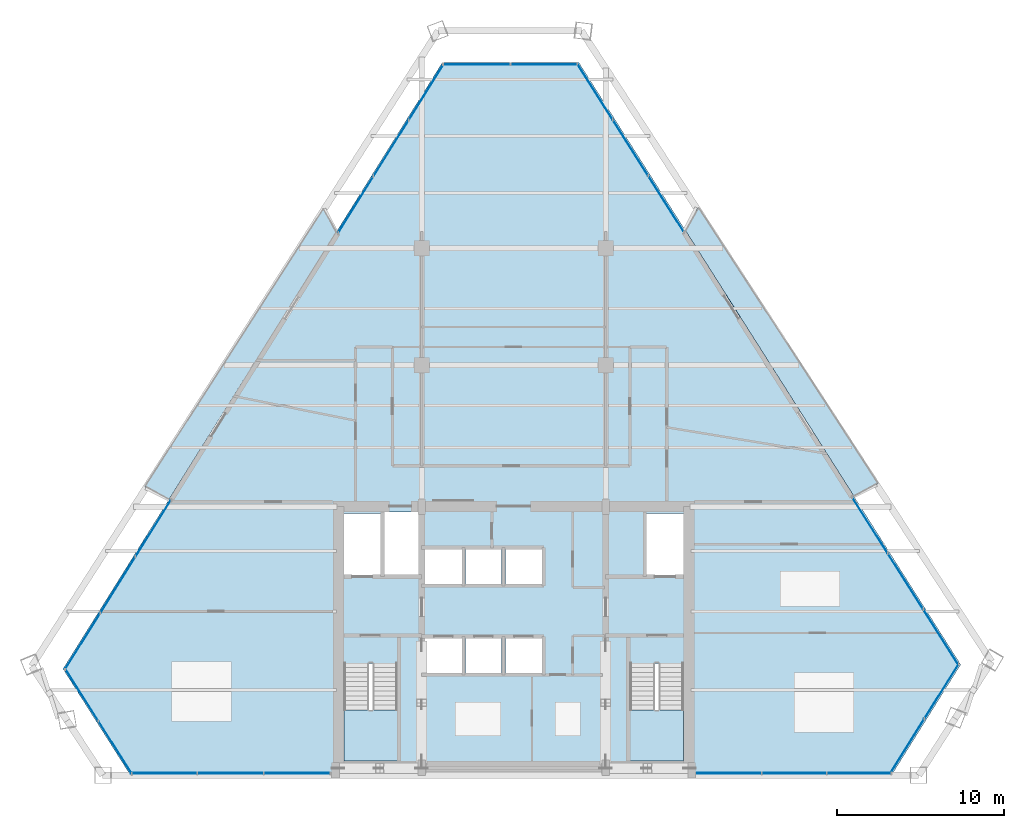
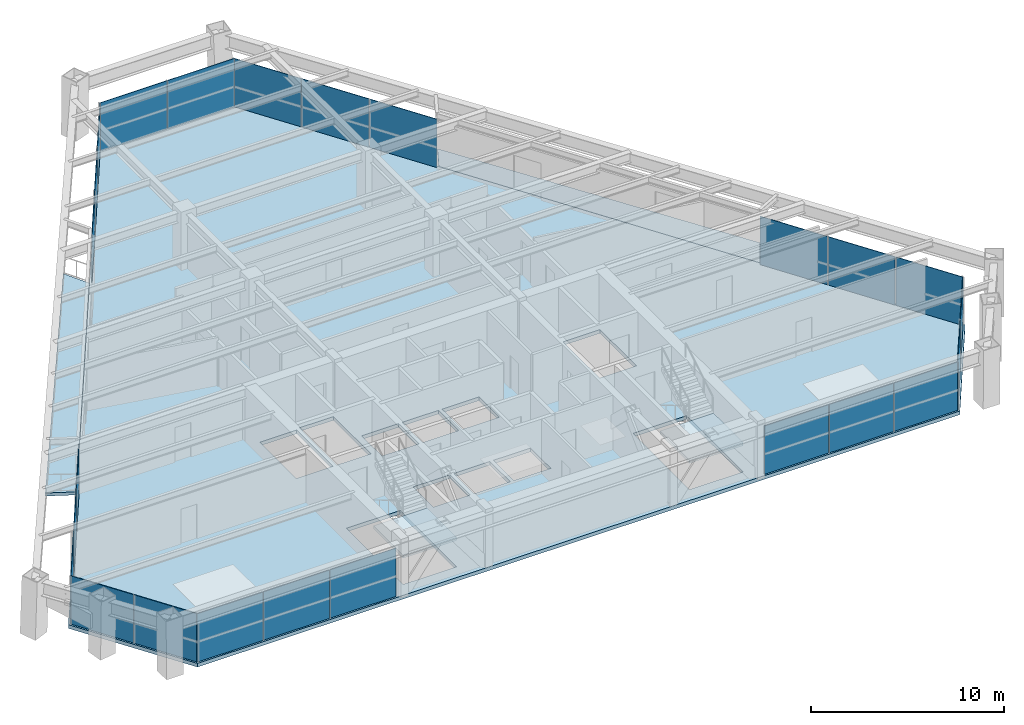
# One storey, part 10 of 15: 24 plates, 5 slabs, 11 elements without a shape of their own.
"""IFC4 building model written with IfcOpenShell, lengths in metres."""

import ifcopenshell
import ifcopenshell.guid

model = None  # the IFC model being written
_history = None  # IfcOwnerHistory: only IFC2X3 demands one
_inside = {}  # id of a spatial element -> (the spatial element, [elements in it])
_under = {}  # id of a project, library or spatial element -> (it, [spatial elements below it])
_declared = {}  # id of a project -> (the project, [libraries it declares])
_typed = {}  # id of a type object -> (the type object, [elements of that type])
_made_of = {}  # id of a material, layer set ... -> (it, [elements and type objects made of it])


def new_model(schema):
    """Start an empty IFC model of exactly this schema.

    Asked for "IFC4X3", IfcOpenShell would pick the latest addendum, in which some entities
    have other attributes; the version numbers below select the first issue.
    IFC2X3 requires an IfcOwnerHistory on every rooted entity: one is made here for all.
    """
    global model, _history
    if schema == "IFC4X3":
        model = ifcopenshell.file(schema_version=(4, 3, 0, 0))
    else:
        model = ifcopenshell.file(schema=schema)
    _inside.clear()
    _under.clear()
    _declared.clear()
    _typed.clear()
    _made_of.clear()
    _history = None
    if model.schema == "IFC2X3":
        org = make("IfcOrganization", Name="unknown")
        user = make(
            "IfcPersonAndOrganization",
            ThePerson=make("IfcPerson", FamilyName="unknown"),
            TheOrganization=org,
        )
        app = make(
            "IfcApplication",
            ApplicationDeveloper=org,
            Version="unknown",
            ApplicationFullName="unknown",
            ApplicationIdentifier="unknown",
        )
        _history = make(
            "IfcOwnerHistory",
            OwningUser=user,
            OwningApplication=app,
            ChangeAction="ADDED",
            CreationDate=0,
        )
    return model


def make(cls, **values):
    """One entity of the class cls with the attributes given. An attribute that is None is left unset."""
    return model.create_entity(
        cls, **{name: value for name, value in values.items() if value is not None}
    )


def rooted(cls, **values):
    """An entity with a GlobalId (a new one), such as an element, a storey or a relation."""
    return make(cls, GlobalId=ifcopenshell.guid.new(), OwnerHistory=_history, **values)


def si_unit(unit_type, name, prefix=None):
    """IfcSIUnit, for example si_unit("LENGTHUNIT", "METRE", prefix="MILLI")."""
    return make("IfcSIUnit", UnitType=unit_type, Prefix=prefix, Name=name)


def assignment(units):
    """IfcUnitAssignment: the units of a project."""
    return None if units is None else make("IfcUnitAssignment", Units=units)


def point(xyz):
    """IfcCartesianPoint."""
    return None if xyz is None else make("IfcCartesianPoint", Coordinates=xyz)


def direction(xyz):
    """IfcDirection."""
    return None if xyz is None else make("IfcDirection", DirectionRatios=xyz)


def frame(location, z_axis=None, x_axis=None):
    """IfcAxis2Placement3D, a coordinate frame: its origin and axes. An axis left out is left unset."""
    return make(
        "IfcAxis2Placement3D",
        Location=point(location),
        Axis=direction(z_axis),
        RefDirection=direction(x_axis),
    )


def frame_2d(location, x_axis=None):
    """IfcAxis2Placement2D, a coordinate frame in the plane: its origin and x axis."""
    return make(
        "IfcAxis2Placement2D", Location=point(location), RefDirection=direction(x_axis)
    )


def origin():
    """The frame at (0, 0, 0) with its axes left unset."""
    return frame((0.0, 0.0, 0.0))


def origin_2d():
    """The frame at (0, 0) in the plane with its x axis left unset."""
    return frame_2d((0.0, 0.0))


def place(relative_to, where):
    """IfcLocalPlacement: puts the frame where relative to a parent placement (None: the world)."""
    return make(
        "IfcLocalPlacement", PlacementRelTo=relative_to, RelativePlacement=where
    )


def context(
    kind, dimensions, precision=None, world=None, true_north=None, identifier=None
):
    """IfcGeometricRepresentationContext, for example the 3D "Model" context."""
    return make(
        "IfcGeometricRepresentationContext",
        ContextIdentifier=identifier,
        ContextType=kind,
        CoordinateSpaceDimension=dimensions,
        Precision=precision,
        WorldCoordinateSystem=world,
        TrueNorth=true_north,
    )


def subcontext(parent, identifier, kind, view, scale=None):
    """IfcGeometricRepresentationSubContext, for example "Body" below "Model"."""
    return make(
        "IfcGeometricRepresentationSubContext",
        ContextIdentifier=identifier,
        ContextType=kind,
        ParentContext=parent,
        TargetScale=scale,
        TargetView=view,
    )


def project(units=None, contexts=None):
    """IfcProject with its units and contexts."""
    return rooted(
        "IfcProject",
        Name="project",
        RepresentationContexts=contexts,
        UnitsInContext=assignment(units),
    )


def spatial(cls, under=None, at=None, **own):
    """A site, building, storey or space (cls), placed at a placement, below another one or the project."""
    s = rooted(cls, ObjectPlacement=at, **own)
    if under is not None:
        _under.setdefault(under.id(), (under, []))[1].append(s)
    return s


def polyline(points):
    """IfcPolyline through the points."""
    return make("IfcPolyline", Points=[point(p) for p in points])


def profile(cls, at=None, kind="AREA", **sizes):
    """A parametric profile (cls). Its sizes go by their IFC names, for example OverallWidth=200.0."""
    return make(cls, ProfileType=kind, Position=at, **sizes)


def rectangle(**sizes):
    """IfcRectangleProfileDef."""
    return profile("IfcRectangleProfileDef", **sizes)


def outline(outer, holes=None, kind="AREA"):
    """IfcArbitraryClosedProfileDef: a profile drawn as a closed curve; with holes, ...WithVoids."""
    if holes is None:
        return make("IfcArbitraryClosedProfileDef", ProfileType=kind, OuterCurve=outer)
    return make(
        "IfcArbitraryProfileDefWithVoids",
        ProfileType=kind,
        OuterCurve=outer,
        InnerCurves=holes,
    )


def extrude(swept, where, along, depth):
    """IfcExtrudedAreaSolid: the profile swept, set in the frame where, extruded along a direction by depth."""
    return make(
        "IfcExtrudedAreaSolid",
        SweptArea=swept,
        Position=where,
        ExtrudedDirection=direction(along),
        Depth=depth,
    )


def shape(context_of_items, identifier, shape_type, items):
    """IfcShapeRepresentation: the items that make up one representation, for example the "Body"."""
    return make(
        "IfcShapeRepresentation",
        ContextOfItems=context_of_items,
        RepresentationIdentifier=identifier,
        RepresentationType=shape_type,
        Items=items,
    )


def source(mapping_origin, context_of_items, identifier, shape_type, items):
    """IfcRepresentationMap: a shape defined once, which mapped items show again and again."""
    return make(
        "IfcRepresentationMap",
        MappingOrigin=mapping_origin,
        MappedRepresentation=shape(context_of_items, identifier, shape_type, items),
    )


def transform(
    local_origin,
    x_axis=None,
    y_axis=None,
    z_axis=None,
    scale=None,
    scale2=None,
    scale3=None,
    uniform=True,
):
    """IfcCartesianTransformationOperator3D, or its non-uniform kind. x_axis, y_axis, z_axis: its Axis1, 2, 3."""
    if uniform:
        return make(
            "IfcCartesianTransformationOperator3D",
            Axis1=direction(x_axis),
            Axis2=direction(y_axis),
            LocalOrigin=point(local_origin),
            Scale=scale,
            Axis3=direction(z_axis),
        )
    return make(
        "IfcCartesianTransformationOperator3DnonUniform",
        Axis1=direction(x_axis),
        Axis2=direction(y_axis),
        LocalOrigin=point(local_origin),
        Scale=scale,
        Axis3=direction(z_axis),
        Scale2=scale2,
        Scale3=scale3,
    )


def mapped(mapping_source, mapping_target):
    """IfcMappedItem: shows the shape of a source again, moved by a transform."""
    return make(
        "IfcMappedItem", MappingSource=mapping_source, MappingTarget=mapping_target
    )


def material(Name=None, Category=None):
    """IfcMaterial."""
    return make("IfcMaterial", Name=Name, Category=Category)


def layer(
    of_material, thickness, ventilated=None, Name=None, Category=None, Priority=None
):
    """IfcMaterialLayer: one layer of a wall or slab, of a material (None: an air gap)."""
    return make(
        "IfcMaterialLayer",
        Material=of_material,
        LayerThickness=thickness,
        IsVentilated=ventilated,
        Name=Name,
        Category=Category,
        Priority=Priority,
    )


def layer_set(layers, Name=None):
    """IfcMaterialLayerSet."""
    return make("IfcMaterialLayerSet", MaterialLayers=layers, LayerSetName=Name)


def made_of(thing, what):
    """Note that an element or type object is made of a material, layer set ...; save() writes the relation."""
    if what is not None:
        _made_of.setdefault(what.id(), (what, []))[1].append(thing)
    return thing


def type_object(cls, material=None, **own):
    """A type object (cls), such as IfcWallType, which elements share."""
    return made_of(rooted(cls, **own), material)


def element(
    cls,
    number,
    at=None,
    inside=None,
    cuts=None,
    type_object=None,
    material=None,
    context=None,
    identifier="Body",
    shape_type=None,
    held_by="IfcProductDefinitionShape",
    body=None,
    shapes=None,
    **own,
):
    """One element of the class cls, such as IfcWall. Its Tag is "e" and its number.

    at: its placement. inside: the storey or other place that contains it. cuts: it is an
    opening in that element (IfcRelVoidsElement). A single representation is given by context,
    identifier, shape_type and body (its items); several are given by shapes. held_by: the class
    of the entity that holds the representations. save() writes the other relations.
    """
    e = rooted(cls, Tag="e%d" % number, ObjectPlacement=at, **own)
    if body is not None:
        shapes = [shape(context, identifier, shape_type, body)]
    if shapes is not None:
        e.Representation = make(held_by, Representations=shapes)
    if inside is not None:
        _inside.setdefault(inside.id(), (inside, []))[1].append(e)
    if cuts is not None:
        rooted(
            "IfcRelVoidsElement", RelatingBuildingElement=cuts, RelatedOpeningElement=e
        )
    if type_object is not None:
        _typed.setdefault(type_object.id(), (type_object, []))[1].append(e)
    return made_of(e, material)


def aggregate(whole, parts):
    """IfcRelAggregates: a whole, such as a stair, and the parts it consists of."""
    return rooted("IfcRelAggregates", RelatingObject=whole, RelatedObjects=parts)


def save(model, path):
    """Write the relations noted so far, then the file.

    IfcRelAggregates (storeys below a building ...), IfcRelContainedInSpatialStructure (elements
    in a storey), IfcRelDefinesByType, IfcRelAssociatesMaterial and IfcRelDeclares: one each for
    every whole, place, type object, material and project.
    """
    for whole, parts in _under.values():
        aggregate(whole, parts)
    for where, things in _inside.values():
        rooted(
            "IfcRelContainedInSpatialStructure",
            RelatedElements=things,
            RelatingStructure=where,
        )
    for kind, things in _typed.values():
        rooted("IfcRelDefinesByType", RelatedObjects=things, RelatingType=kind)
    for what, things in _made_of.values():
        rooted("IfcRelAssociatesMaterial", RelatedObjects=things, RelatingMaterial=what)
    for by, libraries in _declared.values():
        rooted("IfcRelDeclares", RelatingContext=by, RelatedDefinitions=libraries)
    model.write(path)


model = new_model("IFC4")

# Units and contexts
model_context = context("Model", 3, precision=1e-05, world=origin(), true_north=direction((0.0, 1.0)))
body_context = subcontext(model_context, "Body", "Model", "MODEL_VIEW")
ifc_project = project(units=[si_unit("LENGTHUNIT", "METRE"), si_unit("AREAUNIT", "SQUARE_METRE"), si_unit("VOLUMEUNIT", "CUBIC_METRE"), si_unit("PLANEANGLEUNIT", "RADIAN"), si_unit("MASSUNIT", "GRAM", prefix="KILO")], contexts=[model_context])

# Site, building, storey
site_placement = place(None, origin())
site = spatial("IfcSite", under=ifc_project, at=site_placement, CompositionType="ELEMENT")
building_placement = place(site_placement, origin())
building = spatial("IfcBuilding", under=site, at=building_placement, Name="Varnakhor Terracotta Tower", CompositionType="ELEMENT")
storey_placement = place(building_placement, frame((0.0, 0.0, 178.39990234375)))
storey = spatial("IfcBuildingStorey", under=building, at=storey_placement, Name="L45", CompositionType="ELEMENT", Elevation=178.39990234375)

# Stair, slab
ifc_material_1 = material(Name="Concrete C40/50", Category="concrete")
stair_type = type_object("IfcStairType", Name="STR-CORE-OFFICE-1500", PredefinedType="HALF_TURN_STAIR", material=ifc_material_1)
stair_1_placement = place(storey_placement, origin())
stair_1 = element("IfcStair", 1, at=stair_1_placement, inside=storey, type_object=stair_type, Name="L45 Core Exit Stair ST-1", PredefinedType="HALF_TURN_STAIR")
ifc_layer_1 = layer(ifc_material_1, 0.179931640625, Name="Concrete C40/50")
ifc_layer_set_1 = layer_set([ifc_layer_1], Name="Concrete C40/50")
slab_type_1 = type_object("IfcSlabType", Name="SLB-LANDING-180", PredefinedType="LANDING", material=ifc_layer_set_1)
slab_1_placement = place(storey_placement, frame((0.0, 0.0, 1.650146484375)))
slab_1 = element("IfcSlab", 2, at=slab_1_placement, type_object=slab_type_1, Name="ST-1 landing 1", PredefinedType="LANDING", context=body_context, shape_type="SweptSolid", body=[
    extrude(outline(polyline([(-10.14990234375, 3.909912109375), (-10.14990234375, 0.85009765625), (-6.949951171875, 0.85009765625), (-6.949951171875, 3.909912109375), (-10.14990234375, 3.909912109375)])), origin(), (0.0, 0.0, 1.0), 0.199951171875),
])
aggregate(stair_1, [slab_1])

stair_2_placement = place(storey_placement, origin())
stair_2 = element("IfcStair", 3, at=stair_2_placement, inside=storey, type_object=stair_type, Name="L45 Core Exit Stair ST-2", PredefinedType="HALF_TURN_STAIR")
slab_2_placement = place(storey_placement, frame((0.0, 0.0, 1.650146484375)))
slab_2 = element("IfcSlab", 4, at=slab_2_placement, type_object=slab_type_1, Name="ST-2 landing 1", PredefinedType="LANDING", context=body_context, shape_type="SweptSolid", body=[
    extrude(outline(polyline([(6.949951171875, 3.909912109375), (6.949951171875, 0.85009765625), (10.14990234375, 0.85009765625), (10.14990234375, 3.909912109375), (6.949951171875, 3.909912109375)])), origin(), (0.0, 0.0, 1.0), 0.199951171875),
])
aggregate(stair_2, [slab_2])

# Slabs
ifc_layer_2 = layer(ifc_material_1, 0.195068359375, Name="Concrete C40/50")
ifc_layer_set_2 = layer_set([ifc_layer_2], Name="Concrete C40/50")
slab_type_2 = type_object("IfcSlabType", Name="SLB-LOGGIA-EXT-195", PredefinedType="FLOOR", material=ifc_layer_set_2)
slab_3_placement = place(storey_placement, frame((0.0, 0.0, -0.19482421875)))
element("IfcSlab", 5, at=slab_3_placement, inside=storey, type_object=slab_type_2, Name="L45 E Recessed Outdoor Loggia Slab", PredefinedType="FLOOR", context=body_context, shape_type="SweptSolid", body=[
    extrude(outline(polyline([(11.026611328125, 33.963623046875), (21.78369140625, 17.427001953125), (20.33203125, 16.69580078125), (12.7451171875, 28.65869140625), (10.284912109375, 32.53857421875), (11.026611328125, 33.963623046875)])), origin(), (0.0, 0.0, 1.0), 0.19482421875),
])
slab_4_placement = place(storey_placement, frame((0.0, 0.0, -0.19482421875)))
element("IfcSlab", 6, at=slab_4_placement, inside=storey, type_object=slab_type_2, Name="L45 W Recessed Outdoor Loggia Slab", PredefinedType="FLOOR", context=body_context, shape_type="SweptSolid", body=[
    extrude(outline(polyline([(-22.050048828125, 17.235595703125), (-11.353759765625, 33.88916015625), (-10.608642578125, 32.467041015625), (-18.902099609375, 19.21044921875), (-20.590087890625, 16.51220703125), (-22.050048828125, 17.235595703125)])), origin(), (0.0, 0.0, 1.0), 0.19482421875),
])
ifc_layer_3 = layer(ifc_material_1, 0.22998046875, Name="Concrete C40/50")
ifc_layer_set_3 = layer_set([ifc_layer_3], Name="Concrete C40/50")
slab_type_3 = type_object("IfcSlabType", Name="SLB-OFF-230", PredefinedType="FLOOR", material=ifc_layer_set_3)
slab_5_placement = place(storey_placement, frame((0.0, 0.0, -0.22998046875)))
element("IfcSlab", 7, at=slab_5_placement, inside=storey, type_object=slab_type_3, Name="L45 Structural Floor Slab", PredefinedType="FLOOR", context=body_context, shape_type="SweptSolid", body=[
    extrude(outline(polyline([(-26.94189453125, 6.359130859375), (-4.257080078125, 42.6201171875), (3.89111328125, 42.6201171875), (26.7255859375, 6.614013671875), (22.587890625, 0.0), (-22.908935546875, 0.0), (-26.94189453125, 6.359130859375)]), holes=[polyline([(-6.949951171875, 0.85009765625), (-6.949951171875, 6.695068359375), (-10.14990234375, 6.695068359375), (-10.14990234375, 0.85009765625), (-6.949951171875, 0.85009765625)]), polyline([(-3.10009765625, 6.10009765625), (-3.10009765625, 8.199951171875), (-5.300048828125, 8.199951171875), (-5.300048828125, 6.10009765625), (-3.10009765625, 6.10009765625)]), polyline([(-0.719970703125, 6.10009765625), (-0.719970703125, 8.199951171875), (-2.8798828125, 8.199951171875), (-2.8798828125, 6.10009765625), (-0.719970703125, 6.10009765625)]), polyline([(-5.300048828125, 11.419921875), (-3.10009765625, 11.419921875), (-3.10009765625, 13.52001953125), (-5.300048828125, 13.52001953125), (-5.300048828125, 11.419921875)]), polyline([(-10.14990234375, 11.8798828125), (-7.949951171875, 11.8798828125), (-7.949951171875, 15.64990234375), (-10.14990234375, 15.64990234375), (-10.14990234375, 11.8798828125)]), polyline([(-5.699951171875, 11.8798828125), (-5.699951171875, 15.75), (-7.72998046875, 15.75), (-7.72998046875, 11.8798828125), (-5.699951171875, 11.8798828125)]), polyline([(6.949951171875, 0.85009765625), (10.14990234375, 0.85009765625), (10.14990234375, 6.695068359375), (6.949951171875, 6.695068359375), (6.949951171875, 0.85009765625)]), polyline([(-0.5, 6.10009765625), (1.699951171875, 6.10009765625), (1.699951171875, 8.199951171875), (-0.5, 8.199951171875), (-0.5, 6.10009765625)]), polyline([(-0.719970703125, 11.419921875), (-0.719970703125, 13.52001953125), (-2.8798828125, 13.52001953125), (-2.8798828125, 11.419921875), (-0.719970703125, 11.419921875)]), polyline([(-0.5, 11.419921875), (1.699951171875, 11.419921875), (1.699951171875, 13.52001953125), (-0.5, 13.52001953125), (-0.5, 11.419921875)]), polyline([(7.949951171875, 11.8798828125), (10.14990234375, 11.8798828125), (10.14990234375, 15.64990234375), (7.949951171875, 15.64990234375), (7.949951171875, 11.8798828125)])]), origin(), (0.0, 0.0, 1.0), 0.22998046875),
])

# Curtain wall, plates
ifc_material_2 = material(Name="Anodised Aluminium Curtain Wall System", Category="aluminium")
curtain_wall_type = type_object("IfcCurtainWallType", Name="CW-SYS-MID-OFFICE", PredefinedType="NOTDEFINED", material=ifc_material_2)
curtain_wall_1_placement = place(storey_placement, origin())
curtain_wall_1 = element("IfcCurtainWall", 8, at=curtain_wall_1_placement, inside=storey, type_object=curtain_wall_type, Name="L45 W Facet Curtain Wall 1", PredefinedType="NOTDEFINED")
ifc_material_3 = material(Name="Solar-Control Low-E Insulated Glass Panel", Category="glass")
ifc_layer_4 = layer(ifc_material_3, 0.035888671875, Name="Solar-Control Low-E Insulated Glass Panel")
ifc_layer_set_4 = layer_set([ifc_layer_4], Name="Solar-Control Low-E Insulated Glass Panel")
plate_type = type_object("IfcPlateType", Name="CWP-03", PredefinedType="CURTAIN_PANEL", material=ifc_layer_set_4)
shared_shape_1 = source(origin(), body_context, "Body", "SweptSolid", [
    extrude(rectangle(XDim=3.93212890625, YDim=0.035888671875, at=origin_2d()), origin(), (0.0, 0.0, 1.0), 3.050048828125),
])
plate_1_placement = place(storey_placement, frame((-25.77099609375, 8.004638671875, 0.0), z_axis=(0.0, 0.0, 1.0), x_axis=(0.530363228518, 0.847770514843, 0.0)))
plate_1 = element("IfcPlate", 9, at=plate_1_placement, type_object=plate_type, Name="L45 W Facet Curtain Wall 1 Glazed Panel 1", PredefinedType="CURTAIN_PANEL", context=body_context, shape_type="MappedRepresentation", body=[
    mapped(shared_shape_1, transform((0.0, 0.0, 0.0), scale=1.0)),
])
plate_2_placement = place(storey_placement, frame((-21.5576171875, 14.739501953125, 0.0), z_axis=(0.0, 0.0, 1.0), x_axis=(0.530363228518, 0.847770514843, 0.0)))
plate_2 = element("IfcPlate", 10, at=plate_2_placement, type_object=plate_type, Name="L45 W Facet Curtain Wall 1 Glazed Panel 3", PredefinedType="CURTAIN_PANEL", context=body_context, shape_type="MappedRepresentation", body=[
    mapped(shared_shape_1, transform((0.0, 0.0, 0.0), scale=1.0)),
])

# Curtain wall, plate
curtain_wall_2_placement = place(storey_placement, origin())
curtain_wall_2 = element("IfcCurtainWall", 11, at=curtain_wall_2_placement, inside=storey, type_object=curtain_wall_type, Name="L45 W Facet Curtain Wall 2", PredefinedType="NOTDEFINED")
plate_3_placement = place(storey_placement, frame((-7.3310546875, 37.47998046875, 0.0), z_axis=(0.0, 0.0, 1.0), x_axis=(0.530363228518, 0.847770514843, 0.0)))
plate_3 = element("IfcPlate", 12, at=plate_3_placement, type_object=plate_type, Name="L45 W Facet Curtain Wall 2 Glazed Panel 2", PredefinedType="CURTAIN_PANEL", context=body_context, shape_type="MappedRepresentation", body=[
    mapped(shared_shape_1, transform((0.0, 0.0, 0.0), scale=1.0)),
])

# Plate
shared_shape_2 = source(origin(), body_context, "Body", "SweptSolid", [
    extrude(rectangle(XDim=3.931884765625, YDim=0.035888671875, at=origin_2d()), origin(), (0.0, 0.0, 1.0), 3.050048828125),
])
plate_4_placement = place(storey_placement, frame((-23.664306640625, 11.3720703125, 0.0), z_axis=(0.0, 0.0, 1.0), x_axis=(0.530363228518, 0.847770514843, 0.0)))
plate_4 = element("IfcPlate", 13, at=plate_4_placement, type_object=plate_type, Name="L45 W Facet Curtain Wall 1 Glazed Panel 2", PredefinedType="CURTAIN_PANEL", context=body_context, shape_type="MappedRepresentation", body=[
    mapped(shared_shape_2, transform((0.0, 0.0, 0.0), scale=1.0)),
])

aggregate(curtain_wall_1, [plate_1, plate_4, plate_2])

plate_5_placement = place(storey_placement, frame((-9.437744140625, 34.112548828125, 0.0), z_axis=(0.0, 0.0, 1.0), x_axis=(0.530363228518, 0.847770514843, 0.0)))
plate_5 = element("IfcPlate", 14, at=plate_5_placement, type_object=plate_type, Name="L45 W Facet Curtain Wall 2 Glazed Panel 1", PredefinedType="CURTAIN_PANEL", context=body_context, shape_type="MappedRepresentation", body=[
    mapped(shared_shape_2, transform((0.0, 0.0, 0.0), scale=1.0)),
])

plate_6_placement = place(storey_placement, frame((-5.224609375, 40.847412109375, 0.0), z_axis=(0.0, 0.0, 1.0), x_axis=(0.530363228518, 0.847770514843, 0.0)))
plate_6 = element("IfcPlate", 15, at=plate_6_placement, type_object=plate_type, Name="L45 W Facet Curtain Wall 2 Glazed Panel 3", PredefinedType="CURTAIN_PANEL", context=body_context, shape_type="MappedRepresentation", body=[
    mapped(shared_shape_2, transform((0.0, 0.0, 0.0), scale=1.0)),
])

aggregate(curtain_wall_2, [plate_5, plate_3, plate_6])

# Curtain wall, plates
curtain_wall_3_placement = place(storey_placement, origin())
curtain_wall_3 = element("IfcCurtainWall", 16, at=curtain_wall_3_placement, inside=storey, type_object=curtain_wall_type, Name="L45 Facet Curtain Wall 2", PredefinedType="NOTDEFINED")
shared_shape_3 = source(origin(), body_context, "Body", "SweptSolid", [
    extrude(rectangle(XDim=4.004150390625, YDim=0.035888671875, at=origin_2d()), origin(), (0.0, 0.0, 1.0), 3.050048828125),
])
plate_7_placement = place(storey_placement, frame((-2.205078125, 42.500244140625, 0.0), z_axis=(0.0, 0.0, 1.0), x_axis=(1.0, 0.0, 0.0)))
plate_7 = element("IfcPlate", 17, at=plate_7_placement, type_object=plate_type, Name="L45 Facet Curtain Wall 2 Glazed Panel 1", PredefinedType="CURTAIN_PANEL", context=body_context, shape_type="MappedRepresentation", body=[
    mapped(shared_shape_3, transform((0.0, 0.0, 0.0), scale=1.0)),
])
shared_shape_4 = source(origin(), body_context, "Body", "SweptSolid", [
    extrude(rectangle(XDim=4.00390625, YDim=0.035888671875, at=origin_2d()), origin(), (0.0, 0.0, 1.0), 3.050048828125),
])
plate_8_placement = place(storey_placement, frame((1.839111328125, 42.500244140625, 0.0), z_axis=(0.0, 0.0, 1.0), x_axis=(1.0, 0.0, 0.0)))
plate_8 = element("IfcPlate", 18, at=plate_8_placement, type_object=plate_type, Name="L45 Facet Curtain Wall 2 Glazed Panel 2", PredefinedType="CURTAIN_PANEL", context=body_context, shape_type="MappedRepresentation", body=[
    mapped(shared_shape_4, transform((0.0, 0.0, 0.0), scale=1.0)),
])
aggregate(curtain_wall_3, [plate_7, plate_8])

curtain_wall_4_placement = place(storey_placement, origin())
curtain_wall_4 = element("IfcCurtainWall", 19, at=curtain_wall_4_placement, inside=storey, type_object=curtain_wall_type, Name="L45 E Facet Curtain Wall 1", PredefinedType="NOTDEFINED")
shared_shape_5 = source(origin(), body_context, "Body", "SweptSolid", [
    extrude(rectangle(XDim=3.91943359375, YDim=0.035888671875, at=origin_2d()), origin(), (0.0, 0.0, 1.0), 3.050048828125),
])
plate_9_placement = place(storey_placement, frame((4.8662109375, 40.85888671875, 0.0), z_axis=(0.0, 0.0, 1.0), x_axis=(0.535561515101, -0.844496218786, 0.0)))
plate_9 = element("IfcPlate", 20, at=plate_9_placement, type_object=plate_type, Name="L45 E Facet Curtain Wall 1 Glazed Panel 1", PredefinedType="CURTAIN_PANEL", context=body_context, shape_type="MappedRepresentation", body=[
    mapped(shared_shape_5, transform((0.0, 0.0, 0.0), scale=1.0)),
])
plate_10_placement = place(storey_placement, frame((6.986572265625, 37.51513671875, 0.0), z_axis=(0.0, 0.0, 1.0), x_axis=(0.535561515101, -0.844496218786, 0.0)))
plate_10 = element("IfcPlate", 21, at=plate_10_placement, type_object=plate_type, Name="L45 E Facet Curtain Wall 1 Glazed Panel 2", PredefinedType="CURTAIN_PANEL", context=body_context, shape_type="MappedRepresentation", body=[
    mapped(shared_shape_5, transform((0.0, 0.0, 0.0), scale=1.0)),
])
plate_11_placement = place(storey_placement, frame((9.107177734375, 34.17138671875, 0.0), z_axis=(0.0, 0.0, 1.0), x_axis=(0.535561515101, -0.844496218786, 0.0)))
plate_11 = element("IfcPlate", 22, at=plate_11_placement, type_object=plate_type, Name="L45 E Facet Curtain Wall 1 Glazed Panel 3", PredefinedType="CURTAIN_PANEL", context=body_context, shape_type="MappedRepresentation", body=[
    mapped(shared_shape_5, transform((0.0, 0.0, 0.0), scale=1.0)),
])
aggregate(curtain_wall_4, [plate_9, plate_10, plate_11])

curtain_wall_5_placement = place(storey_placement, origin())
curtain_wall_5 = element("IfcCurtainWall", 23, at=curtain_wall_5_placement, inside=storey, type_object=curtain_wall_type, Name="L45 E Facet Curtain Wall 2", PredefinedType="NOTDEFINED")
plate_12_placement = place(storey_placement, frame((21.306884765625, 14.934326171875, 0.0), z_axis=(0.0, 0.0, 1.0), x_axis=(0.535561515101, -0.844496218786, 0.0)))
plate_12 = element("IfcPlate", 24, at=plate_12_placement, type_object=plate_type, Name="L45 E Facet Curtain Wall 2 Glazed Panel 1", PredefinedType="CURTAIN_PANEL", context=body_context, shape_type="MappedRepresentation", body=[
    mapped(shared_shape_5, transform((0.0, 0.0, 0.0), scale=1.0)),
])
plate_13_placement = place(storey_placement, frame((25.548095703125, 8.2470703125, 0.0), z_axis=(0.0, 0.0, 1.0), x_axis=(0.535561515101, -0.844496218786, 0.0)))
plate_13 = element("IfcPlate", 25, at=plate_13_placement, type_object=plate_type, Name="L45 E Facet Curtain Wall 2 Glazed Panel 3", PredefinedType="CURTAIN_PANEL", context=body_context, shape_type="MappedRepresentation", body=[
    mapped(shared_shape_5, transform((0.0, 0.0, 0.0), scale=1.0)),
])
shared_shape_6 = source(origin(), body_context, "Body", "SweptSolid", [
    extrude(rectangle(XDim=3.919189453125, YDim=0.035888671875, at=origin_2d()), origin(), (0.0, 0.0, 1.0), 3.050048828125),
])
plate_14_placement = place(storey_placement, frame((23.427490234375, 11.590576171875, 0.0), z_axis=(0.0, 0.0, 1.0), x_axis=(0.535561515101, -0.844496218786, 0.0)))
plate_14 = element("IfcPlate", 26, at=plate_14_placement, type_object=plate_type, Name="L45 E Facet Curtain Wall 2 Glazed Panel 2", PredefinedType="CURTAIN_PANEL", context=body_context, shape_type="MappedRepresentation", body=[
    mapped(shared_shape_6, transform((0.0, 0.0, 0.0), scale=1.0)),
])
aggregate(curtain_wall_5, [plate_12, plate_14, plate_13])

curtain_wall_6_placement = place(storey_placement, origin())
curtain_wall_6 = element("IfcCurtainWall", 27, at=curtain_wall_6_placement, inside=storey, type_object=curtain_wall_type, Name="L45 Facet Curtain Wall 4", PredefinedType="NOTDEFINED")
shared_shape_7 = source(origin(), body_context, "Body", "SweptSolid", [
    extrude(rectangle(XDim=3.830810546875, YDim=0.035888671875, at=origin_2d()), origin(), (0.0, 0.0, 1.0), 3.050048828125),
])
plate_15_placement = place(storey_placement, frame((25.58154296875, 5.011474609375, 0.0), z_axis=(0.0, 0.0, 1.0), x_axis=(-0.530363228518, -0.847770514843, 0.0)))
plate_15 = element("IfcPlate", 28, at=plate_15_placement, type_object=plate_type, Name="L45 Facet Curtain Wall 4 Glazed Panel 1", PredefinedType="CURTAIN_PANEL", context=body_context, shape_type="MappedRepresentation", body=[
    mapped(shared_shape_7, transform((0.0, 0.0, 0.0), scale=1.0)),
])
plate_16_placement = place(storey_placement, frame((23.528564453125, 1.72998046875, 0.0), z_axis=(0.0, 0.0, 1.0), x_axis=(-0.530363228518, -0.847770514843, 0.0)))
plate_16 = element("IfcPlate", 29, at=plate_16_placement, type_object=plate_type, Name="L45 Facet Curtain Wall 4 Glazed Panel 2", PredefinedType="CURTAIN_PANEL", context=body_context, shape_type="MappedRepresentation", body=[
    mapped(shared_shape_7, transform((0.0, 0.0, 0.0), scale=1.0)),
])
aggregate(curtain_wall_6, [plate_15, plate_16])

curtain_wall_7_placement = place(storey_placement, origin())
curtain_wall_7 = element("IfcCurtainWall", 30, at=curtain_wall_7_placement, inside=storey, type_object=curtain_wall_type, Name="L45 South Wing Curtain Wall SSE", PredefinedType="NOTDEFINED")
shared_shape_8 = source(origin(), body_context, "Body", "SweptSolid", [
    extrude(rectangle(XDim=3.829345703125, YDim=0.035888671875, at=origin_2d()), origin(), (0.0, 0.0, 1.0), 3.050048828125),
])
plate_17_placement = place(storey_placement, frame((20.643310546875, 0.1201171875, 0.0), z_axis=(0.0, 0.0, 1.0), x_axis=(-1.0, 0.0, 0.0)))
plate_17 = element("IfcPlate", 31, at=plate_17_placement, type_object=plate_type, Name="L45 South Wing Curtain Wall SSE Glazed Panel 1", PredefinedType="CURTAIN_PANEL", context=body_context, shape_type="MappedRepresentation", body=[
    mapped(shared_shape_8, transform((0.0, 0.0, 0.0), scale=1.0)),
])
plate_18_placement = place(storey_placement, frame((16.77392578125, 0.1201171875, 0.0), z_axis=(0.0, 0.0, 1.0), x_axis=(-1.0, 0.0, 0.0)))
plate_18 = element("IfcPlate", 32, at=plate_18_placement, type_object=plate_type, Name="L45 South Wing Curtain Wall SSE Glazed Panel 2", PredefinedType="CURTAIN_PANEL", context=body_context, shape_type="MappedRepresentation", body=[
    mapped(shared_shape_8, transform((0.0, 0.0, 0.0), scale=1.0)),
])
plate_19_placement = place(storey_placement, frame((12.90478515625, 0.1201171875, 0.0), z_axis=(0.0, 0.0, 1.0), x_axis=(-1.0, 0.0, 0.0)))
plate_19 = element("IfcPlate", 33, at=plate_19_placement, type_object=plate_type, Name="L45 South Wing Curtain Wall SSE Glazed Panel 3", PredefinedType="CURTAIN_PANEL", context=body_context, shape_type="MappedRepresentation", body=[
    mapped(shared_shape_8, transform((0.0, 0.0, 0.0), scale=1.0)),
])
aggregate(curtain_wall_7, [plate_17, plate_18, plate_19])

curtain_wall_8_placement = place(storey_placement, origin())
curtain_wall_8 = element("IfcCurtainWall", 34, at=curtain_wall_8_placement, inside=storey, type_object=curtain_wall_type, Name="L45 South Wing Curtain Wall SSW", PredefinedType="NOTDEFINED")
shared_shape_9 = source(origin(), body_context, "Body", "SweptSolid", [
    extrude(rectangle(XDim=3.936279296875, YDim=0.035888671875, at=origin_2d()), origin(), (0.0, 0.0, 1.0), 3.050048828125),
])
plate_20_placement = place(storey_placement, frame((-12.9580078125, 0.1201171875, 0.0), z_axis=(0.0, 0.0, 1.0), x_axis=(-1.0, 0.0, 0.0)))
plate_20 = element("IfcPlate", 35, at=plate_20_placement, type_object=plate_type, Name="L45 South Wing Curtain Wall SSW Glazed Panel 1", PredefinedType="CURTAIN_PANEL", context=body_context, shape_type="MappedRepresentation", body=[
    mapped(shared_shape_9, transform((0.0, 0.0, 0.0), scale=1.0)),
])
plate_21_placement = place(storey_placement, frame((-16.9345703125, 0.1201171875, 0.0), z_axis=(0.0, 0.0, 1.0), x_axis=(-1.0, 0.0, 0.0)))
plate_21 = element("IfcPlate", 36, at=plate_21_placement, type_object=plate_type, Name="L45 South Wing Curtain Wall SSW Glazed Panel 2", PredefinedType="CURTAIN_PANEL", context=body_context, shape_type="MappedRepresentation", body=[
    mapped(shared_shape_9, transform((0.0, 0.0, 0.0), scale=1.0)),
])
plate_22_placement = place(storey_placement, frame((-20.910888671875, 0.1201171875, 0.0), z_axis=(0.0, 0.0, 1.0), x_axis=(-1.0, 0.0, 0.0)))
plate_22 = element("IfcPlate", 37, at=plate_22_placement, type_object=plate_type, Name="L45 South Wing Curtain Wall SSW Glazed Panel 3", PredefinedType="CURTAIN_PANEL", context=body_context, shape_type="MappedRepresentation", body=[
    mapped(shared_shape_9, transform((0.0, 0.0, 0.0), scale=1.0)),
])
aggregate(curtain_wall_8, [plate_20, plate_21, plate_22])

curtain_wall_9_placement = place(storey_placement, origin())
curtain_wall_9 = element("IfcCurtainWall", 38, at=curtain_wall_9_placement, inside=storey, type_object=curtain_wall_type, Name="L45 Facet Curtain Wall 6", PredefinedType="NOTDEFINED")
shared_shape_10 = source(origin(), body_context, "Body", "SweptSolid", [
    extrude(rectangle(XDim=3.695068359375, YDim=0.035888671875, at=origin_2d()), origin(), (0.0, 0.0, 1.0), 3.050048828125),
])
plate_23_placement = place(storey_placement, frame((-23.823974609375, 1.666748046875, 0.0), z_axis=(0.0, 0.0, 1.0), x_axis=(-0.535561515101, 0.844496218786, 0.0)))
plate_23 = element("IfcPlate", 39, at=plate_23_placement, type_object=plate_type, Name="L45 Facet Curtain Wall 6 Glazed Panel 1", PredefinedType="CURTAIN_PANEL", context=body_context, shape_type="MappedRepresentation", body=[
    mapped(shared_shape_10, transform((0.0, 0.0, 0.0), scale=1.0)),
])
plate_24_placement = place(storey_placement, frame((-25.82421875, 4.821044921875, 0.0), z_axis=(0.0, 0.0, 1.0), x_axis=(-0.535561515101, 0.844496218786, 0.0)))
plate_24 = element("IfcPlate", 40, at=plate_24_placement, type_object=plate_type, Name="L45 Facet Curtain Wall 6 Glazed Panel 2", PredefinedType="CURTAIN_PANEL", context=body_context, shape_type="MappedRepresentation", body=[
    mapped(shared_shape_10, transform((0.0, 0.0, 0.0), scale=1.0)),
])
aggregate(curtain_wall_9, [plate_23, plate_24])

save(model, "model.ifc")
